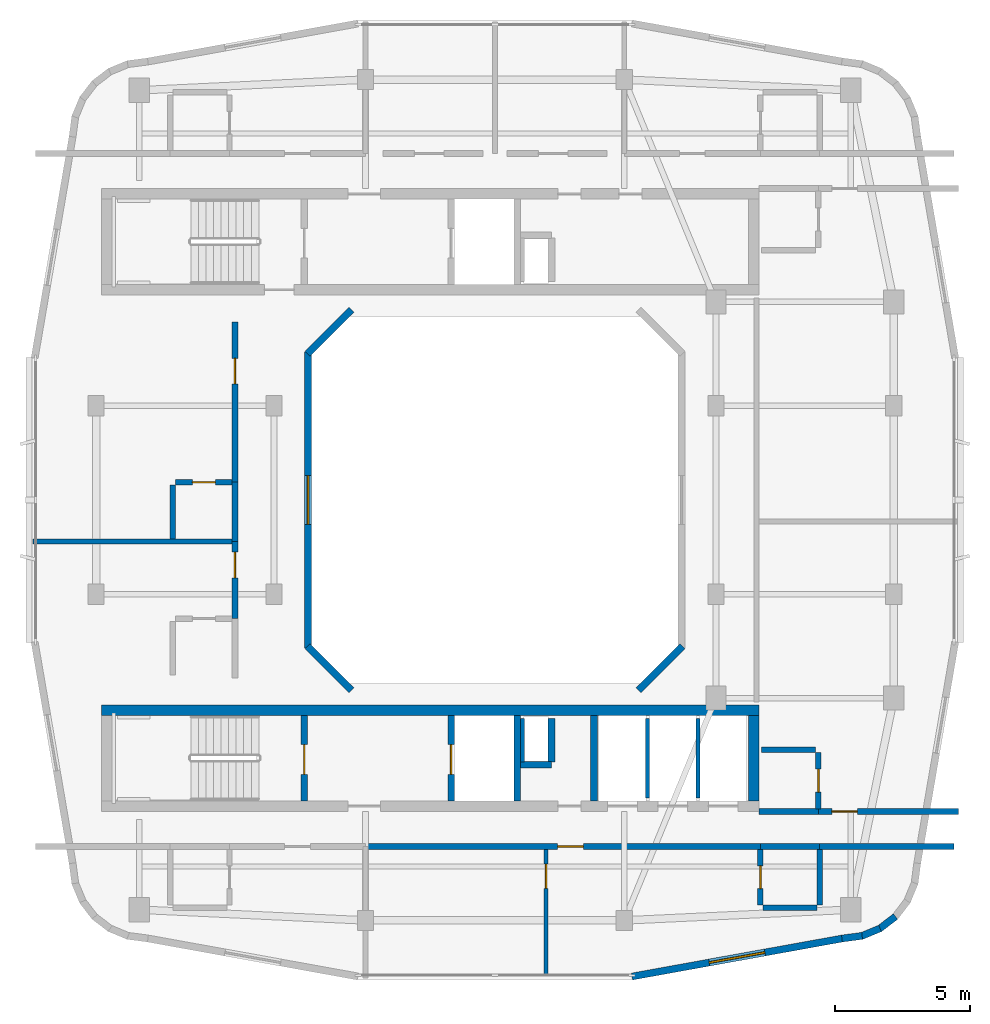
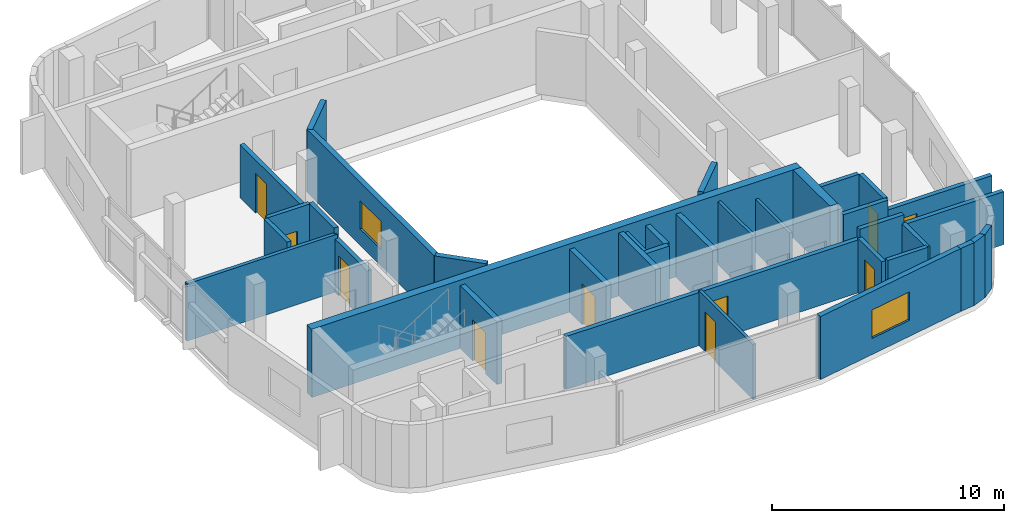
# One storey, part 4 of 8: 36 walls, 10 doors, 2 windows, 12 openings.
"""IFC4 building model written with IfcOpenShell, lengths in metres."""

from ifc_helpers import new_model, si_unit, derived_unit, direction, frame, frame_2d, origin, place, context, subcontext, project, spatial, rectangle, extrude, material, layer, layer_set, type_object, element, fill, save


model = new_model("IFC4")

# Units and contexts
model_context = context("Model", 3, precision=1e-05, world=origin(), true_north=direction((0.0, 1.0)))
body_context = subcontext(model_context, "Body", "Model", "MODEL_VIEW")
ifc_project = project(units=[si_unit("LENGTHUNIT", "METRE"), si_unit("AREAUNIT", "SQUARE_METRE"), si_unit("VOLUMEUNIT", "CUBIC_METRE"), si_unit("PLANEANGLEUNIT", "RADIAN"), si_unit("MASSUNIT", "GRAM", prefix="KILO"), derived_unit("THERMALTRANSMITTANCEUNIT", [(si_unit("POWERUNIT", "WATT"), 1), (si_unit("LENGTHUNIT", "METRE"), -2), (si_unit("THERMODYNAMICTEMPERATUREUNIT", "KELVIN"), -1)])], contexts=[model_context])

# Site, building, storey
site_placement = place(None, origin())
site = spatial("IfcSite", under=ifc_project, at=site_placement, CompositionType="ELEMENT")
building_placement = place(site_placement, origin())
building = spatial("IfcBuilding", under=site, at=building_placement, Name="Kivonza Crest Hotel", CompositionType="ELEMENT")
storey_placement = place(building_placement, frame((0.0, 0.0, 257.60009765625)))
storey = spatial("IfcBuildingStorey", under=building, at=storey_placement, Name="L70", CompositionType="ELEMENT", Elevation=257.60009765625)

# Walls
ifc_material_1 = material(Name="High-density acoustic masonry inter-tenancy wall", Category="masonry")
ifc_layer_1 = layer(ifc_material_1, 0.179931640625)
ifc_layer_set_1 = layer_set([ifc_layer_1], Name="High-density acoustic masonry inter-tenancy wall")
wall_type_1 = type_object("IfcWallType", Name="WL-ACOU-180", PredefinedType="SOLIDWALL", material=ifc_layer_set_1)
wall_1_placement = place(storey_placement, frame((3.860107421875, 23.4599609375, 0.0), z_axis=(0.0, 0.0, 1.0), x_axis=(1.0, 0.0, 0.0)))
element("IfcWall", 1, at=wall_1_placement, inside=storey, type_object=wall_type_1, Name="L70 interior partition WA-L70-T1W-DIV1", PredefinedType="SOLIDWALL", context=body_context, shape_type="SweptSolid", body=[
    extrude(rectangle(XDim=7.489990234375, YDim=0.179931640625, at=frame_2d((3.7451171875, 0.0))), origin(), (0.0, 0.0, 1.0), 3.014892578125),
])
ifc_material_2 = material(Name="Autoclaved aerated concrete blockwork", Category="masonry")
ifc_layer_2 = layer(ifc_material_2, 0.219970703125)
ifc_layer_set_2 = layer_set([ifc_layer_2], Name="Autoclaved aerated concrete blockwork")
wall_type_2 = type_object("IfcWallType", Name="WL-ACOU-220", PredefinedType="SOLIDWALL", material=ifc_layer_set_2)
wall_2_placement = place(storey_placement, frame((33.050048828125, 12.139892578125, 0.0), z_axis=(0.0, 0.0, 1.0), x_axis=(1.0, 0.0, 0.0)))
element("IfcWall", 2, at=wall_2_placement, inside=storey, type_object=wall_type_2, Name="L70 interior partition WA-L70-S04-XCORR", PredefinedType="SOLIDWALL", context=body_context, shape_type="SweptSolid", body=[
    extrude(rectangle(XDim=4.989990234375, YDim=0.219970703125, at=frame_2d((2.4951171875, 0.0))), origin(), (0.0, 0.0, 1.0), 2.794921875),
])
wall_3_placement = place(storey_placement, frame((30.85009765625, 12.139892578125, 0.0), z_axis=(0.0, 0.0, 1.0), x_axis=(1.0, 0.0, 0.0)))
element("IfcWall", 3, at=wall_3_placement, inside=storey, type_object=wall_type_2, Name="L70 interior partition WA-L70-S04-BCORR", PredefinedType="SOLIDWALL", context=body_context, shape_type="SweptSolid", body=[
    extrude(rectangle(XDim=2.199951171875, YDim=0.219970703125, at=frame_2d((1.10009765625, 0.0))), origin(), (0.0, 0.0, 1.0), 3.31982421875),
])

# Wall, opening, door
wall_4_placement = place(storey_placement, frame((16.199951171875, 12.139892578125, 0.0), z_axis=(0.0, 0.0, 1.0), x_axis=(1.0, 0.0, 0.0)))
wall_4 = element("IfcWall", 4, at=wall_4_placement, inside=storey, type_object=wall_type_2, Name="L70 interior partition WA-L70-S04-MCORR", PredefinedType="SOLIDWALL", context=body_context, shape_type="SweptSolid", body=[
    extrude(rectangle(XDim=14.650146484375, YDim=0.219970703125, at=frame_2d((7.3251953125, 0.0))), origin(), (0.0, 0.0, 1.0), 2.794921875),
])
opening_1_placement = place(wall_4_placement, frame((7.1298828125, 0.0, 0.0)))
opening_1 = element("IfcOpeningElement", 5, at=opening_1_placement, cuts=wall_4, Name="Opening DU-60", PredefinedType="OPENING", context=body_context, shape_type="SweptSolid", body=[
    extrude(rectangle(XDim=0.949951171875, YDim=2.10009765625, at=frame_2d((0.47509765625, 1.050048828125))), frame((0.0, 0.1201171875, 0.0), z_axis=(0.0, -1.0, 0.0), x_axis=(1.0, 0.0, 0.0)), (0.0, 0.0, 1.0), 0.239990234375),
])
ifc_material_3 = material(Name="Hardwood timber oak", Category="wood")
door_type_1 = type_object("IfcDoorType", Name="DR-UNIT-950", OperationType="NOTDEFINED", PredefinedType="DOOR", material=ifc_material_3)
door_1_placement = place(opening_1_placement, frame((0.949951171875, 0.0, 0.0), z_axis=(0.0, 0.0, 1.0), x_axis=(-1.0, 0.0, 0.0)))
door_1 = element("IfcDoor", 6, at=door_1_placement, inside=storey, type_object=door_type_1, Name="L70 S04 guest unit entrance fire door", OperationType="SINGLE_SWING_RIGHT", OverallHeight=2.10009765625, OverallWidth=0.949951171875, PredefinedType="DOOR", context=body_context, shape_type="SweptSolid", body=[
    extrude(rectangle(XDim=0.949951171875, YDim=2.10009765625, at=frame_2d((0.47509765625, 1.050048828125))), frame((0.0, 0.02490234375, 0.0), z_axis=(0.0, -1.0, 0.0), x_axis=(1.0, 0.0, 0.0)), (0.0, 0.0, 1.0), 0.050048828125),
])
fill(opening_1, door_1)

wall_5_placement = place(storey_placement, frame((11.35009765625, 20.60009765625, 0.0), z_axis=(0.0, 0.0, 1.0), x_axis=(0.0, 1.0, 0.0)))
wall_5 = element("IfcWall", 7, at=wall_5_placement, inside=storey, type_object=wall_type_2, Name="L70 interior partition WA-L70-W05-MCORR", PredefinedType="SOLIDWALL", context=body_context, shape_type="SweptSolid", body=[
    extrude(rectangle(XDim=2.85986328125, YDim=0.219970703125, at=frame_2d((1.429931640625, 0.0))), origin(), (0.0, 0.0, 1.0), 2.794921875),
])
opening_2_placement = place(wall_5_placement, frame((1.514892578125, 0.0, 0.0)))
opening_2 = element("IfcOpeningElement", 8, at=opening_2_placement, cuts=wall_5, Name="Opening DU-60", PredefinedType="OPENING", context=body_context, shape_type="SweptSolid", body=[
    extrude(rectangle(XDim=0.949951171875, YDim=2.10009765625, at=frame_2d((0.47509765625, 1.050048828125))), frame((0.0, 0.1201171875, 0.0), z_axis=(0.0, -1.0, 0.0), x_axis=(1.0, 0.0, 0.0)), (0.0, 0.0, 1.0), 0.239990234375),
])
door_2_placement = place(opening_2_placement, origin())
door_2 = element("IfcDoor", 9, at=door_2_placement, inside=storey, type_object=door_type_1, Name="L70 W05 guest unit entrance fire door", OperationType="SINGLE_SWING_LEFT", OverallHeight=2.10009765625, OverallWidth=0.949951171875, PredefinedType="DOOR", context=body_context, shape_type="SweptSolid", body=[
    extrude(rectangle(XDim=0.949951171875, YDim=2.10009765625, at=frame_2d((0.47509765625, 1.050048828125))), frame((0.0, 0.02490234375, 0.0), z_axis=(0.0, -1.0, 0.0), x_axis=(1.0, 0.0, 0.0)), (0.0, 0.0, 1.0), 0.050048828125),
])
fill(opening_2, door_2)

# Wall
wall_6_placement = place(storey_placement, frame((11.35009765625, 23.4599609375, 0.0), z_axis=(0.0, 0.0, 1.0), x_axis=(0.0, 1.0, 0.0)))
element("IfcWall", 10, at=wall_6_placement, inside=storey, type_object=wall_type_2, Name="L70 interior partition WA-L70-W06-BCORR", PredefinedType="SOLIDWALL", context=body_context, shape_type="SweptSolid", body=[
    extrude(rectangle(XDim=2.199951171875, YDim=0.219970703125, at=frame_2d((1.10009765625, 0.0))), origin(), (0.0, 0.0, 1.0), 3.31982421875),
])

# Wall, opening, door
wall_7_placement = place(storey_placement, frame((11.35009765625, 25.659912109375, 0.0), z_axis=(0.0, 0.0, 1.0), x_axis=(0.0, 1.0, 0.0)))
wall_7 = element("IfcWall", 11, at=wall_7_placement, inside=storey, type_object=wall_type_2, Name="L70 interior partition WA-L70-W06-MCORR", PredefinedType="SOLIDWALL", context=body_context, shape_type="SweptSolid", body=[
    extrude(rectangle(XDim=5.940185546875, YDim=0.219970703125, at=frame_2d((2.97021484375, 0.0))), origin(), (0.0, 0.0, 1.0), 2.794921875),
])
opening_3_placement = place(wall_7_placement, frame((3.64501953125, 0.0, 0.0)))
opening_3 = element("IfcOpeningElement", 12, at=opening_3_placement, cuts=wall_7, Name="Opening DU-60", PredefinedType="OPENING", context=body_context, shape_type="SweptSolid", body=[
    extrude(rectangle(XDim=0.949951171875, YDim=2.10009765625, at=frame_2d((0.47509765625, 1.050048828125))), frame((0.0, 0.1201171875, 0.0), z_axis=(0.0, -1.0, 0.0), x_axis=(1.0, 0.0, 0.0)), (0.0, 0.0, 1.0), 0.239990234375),
])
door_3_placement = place(opening_3_placement, origin())
door_3 = element("IfcDoor", 13, at=door_3_placement, inside=storey, type_object=door_type_1, Name="L70 W06 guest unit entrance fire door", OperationType="SINGLE_SWING_RIGHT", OverallHeight=2.10009765625, OverallWidth=0.949951171875, PredefinedType="DOOR", context=body_context, shape_type="SweptSolid", body=[
    extrude(rectangle(XDim=0.949951171875, YDim=2.10009765625, at=frame_2d((0.47509765625, 1.050048828125))), frame((0.0, 0.02490234375, 0.0), z_axis=(0.0, -1.0, 0.0), x_axis=(1.0, 0.0, 0.0)), (0.0, 0.0, 1.0), 0.050048828125),
])
fill(opening_3, door_3)

# Wall
wall_8_placement = place(storey_placement, frame((30.800048828125, 13.43994140625, 0.0), z_axis=(0.0, 0.0, 1.0), x_axis=(1.0, 0.0, 0.0)))
element("IfcWall", 14, at=wall_8_placement, inside=storey, type_object=wall_type_2, Name="L70 interior partition WA-L70-ES07-BCORR", PredefinedType="SOLIDWALL", context=body_context, shape_type="SweptSolid", body=[
    extrude(rectangle(XDim=2.199951171875, YDim=0.219970703125, at=frame_2d((1.10009765625, 0.0))), origin(), (0.0, 0.0, 1.0), 3.31982421875),
])

# Wall, opening, door
wall_9_placement = place(storey_placement, frame((33.0, 13.43994140625, 0.0), z_axis=(0.0, 0.0, 1.0), x_axis=(1.0, 0.0, 0.0)))
wall_9 = element("IfcWall", 15, at=wall_9_placement, inside=storey, type_object=wall_type_2, Name="L70 interior partition WA-L70-ES07-MCORR", PredefinedType="SOLIDWALL", context=body_context, shape_type="SweptSolid", body=[
    extrude(rectangle(XDim=5.199951171875, YDim=0.219970703125, at=frame_2d((2.60009765625, 0.0))), origin(), (0.0, 0.0, 1.0), 2.794921875),
])
opening_4_placement = place(wall_9_placement, frame((0.5, 0.0, 0.0)))
opening_4 = element("IfcOpeningElement", 16, at=opening_4_placement, cuts=wall_9, Name="Opening DU-60", PredefinedType="OPENING", context=body_context, shape_type="SweptSolid", body=[
    extrude(rectangle(XDim=0.949951171875, YDim=2.10009765625, at=frame_2d((0.47509765625, 1.050048828125))), frame((0.0, 0.1201171875, 0.0), z_axis=(0.0, -1.0, 0.0), x_axis=(1.0, 0.0, 0.0)), (0.0, 0.0, 1.0), 0.239990234375),
])
door_4_placement = place(opening_4_placement, origin())
door_4 = element("IfcDoor", 17, at=door_4_placement, inside=storey, type_object=door_type_1, Name="L70 ES07 guest unit entrance fire door", OperationType="SINGLE_SWING_RIGHT", OverallHeight=2.10009765625, OverallWidth=0.949951171875, PredefinedType="DOOR", context=body_context, shape_type="SweptSolid", body=[
    extrude(rectangle(XDim=0.949951171875, YDim=2.10009765625, at=frame_2d((0.47509765625, 1.050048828125))), frame((0.0, 0.02490234375, 0.0), z_axis=(0.0, -1.0, 0.0), x_axis=(1.0, 0.0, 0.0)), (0.0, 0.0, 1.0), 0.050048828125),
])
fill(opening_4, door_4)

# Walls
ifc_material_4 = material(Name="Concrete C50/60", Category="concrete")
ifc_layer_3 = layer(ifc_material_4, 0.39990234375)
ifc_layer_set_3 = layer_set([ifc_layer_3], Name="Concrete C50/60")
wall_type_3 = type_object("IfcWallType", Name="WL-CORE-400", PredefinedType="SHEAR", material=ifc_layer_set_3)
wall_10_placement = place(storey_placement, frame((6.39990234375, 17.199951171875, 0.0), z_axis=(0.0, 0.0, 1.0), x_axis=(1.0, 0.0, 0.0)))
element("IfcWall", 18, at=wall_10_placement, inside=storey, type_object=wall_type_3, Name="Core wall T1-S North L70", PredefinedType="SHEAR", context=body_context, shape_type="SweptSolid", body=[
    extrude(rectangle(XDim=24.400146484375, YDim=0.39990234375, at=frame_2d((12.2001953125, 0.0))), origin(), (0.0, 0.0, 1.0), 3.599853515625),
])
wall_11_placement = place(storey_placement, frame((30.60009765625, 13.840087890625, 0.0), z_axis=(0.0, 0.0, 1.0), x_axis=(0.0, 1.0, 0.0)))
element("IfcWall", 19, at=wall_11_placement, inside=storey, type_object=wall_type_3, Name="Core wall T1-S East L70", PredefinedType="SHEAR", context=body_context, shape_type="SweptSolid", body=[
    extrude(rectangle(XDim=3.159912109375, YDim=0.39990234375, at=frame_2d((1.580078125, 0.0))), origin(), (0.0, 0.0, 1.0), 3.599853515625),
])

# Wall, opening, window
ifc_material_5 = material(Name="Precast concrete C40/50", Category="concrete")
ifc_layer_4 = layer(ifc_material_5, 0.260009765625)
ifc_layer_set_4 = layer_set([ifc_layer_4], Name="Precast concrete C40/50")
wall_type_4 = type_object("IfcWallType", Name="WL-EXT-260", PredefinedType="STANDARD", material=ifc_layer_set_4)
wall_12_placement = place(storey_placement, frame((26.0830078125, 7.318115234375, 0.0), z_axis=(0.0, 0.0, 1.0), x_axis=(0.984039441158, 0.177950493803, 0.0)))
wall_12 = element("IfcWall", 20, at=wall_12_placement, inside=storey, type_object=wall_type_4, Name="L70 T1 exterior insulated wall 9", PredefinedType="STANDARD", context=body_context, shape_type="SweptSolid", body=[
    extrude(rectangle(XDim=7.928466796875, YDim=0.260009765625, at=frame_2d((3.96435546875, 0.0))), origin(), (0.0, 0.0, 1.0), 3.31982421875),
])
opening_5_placement = place(wall_12_placement, frame((2.9140625, 0.0, 0.85009765625)))
opening_5 = element("IfcOpeningElement", 21, at=opening_5_placement, cuts=wall_12, Name="Opening WN-04", PredefinedType="OPENING", context=body_context, shape_type="SweptSolid", body=[
    extrude(rectangle(XDim=2.10009765625, YDim=1.5, at=frame_2d((1.050048828125, 0.75))), frame((0.0, 0.14013671875, 0.0), z_axis=(0.0, -1.0, 0.0), x_axis=(1.0, 0.0, 0.0)), (0.0, 0.0, 1.0), 0.280029296875),
])
ifc_material_6 = material(Name="Thermally broken bronze aluminium and low-E double glazing", Category="aluminium")
window_type_1 = type_object("IfcWindowType", Name="WN-210x150", PartitioningType="DOUBLE_PANEL_VERTICAL", PredefinedType="WINDOW", material=ifc_material_6)
window_1_placement = place(opening_5_placement, origin())
window_1 = element("IfcWindow", 22, at=window_1_placement, inside=storey, type_object=window_type_1, Name="L70 T1 facade window 9", OverallHeight=1.5, OverallWidth=2.10009765625, PartitioningType="SINGLE_PANEL", PredefinedType="WINDOW", context=body_context, shape_type="SweptSolid", body=[
    extrude(rectangle(XDim=2.10009765625, YDim=1.5, at=frame_2d((1.050048828125, 0.75))), frame((0.0, 0.030029296875, 0.0), z_axis=(0.0, -1.0, 0.0), x_axis=(1.0, 0.0, 0.0)), (0.0, 0.0, 1.0), 0.06005859375),
])
fill(opening_5, window_1)

# Walls
wall_13_placement = place(storey_placement, frame((33.875, 8.72802734375, 0.0), z_axis=(0.0, 0.0, 1.0), x_axis=(0.99139921394, 0.130872451645, 0.0)))
element("IfcWall", 23, at=wall_13_placement, inside=storey, type_object=wall_type_4, Name="L70 T1 exterior insulated wall 10", PredefinedType="STANDARD", context=body_context, shape_type="SweptSolid", body=[
    extrude(rectangle(XDim=0.755615234375, YDim=0.260009765625, at=frame_2d((0.3779296875, 0.0))), origin(), (0.0, 0.0, 1.0), 3.31982421875),
])
for number, where, z_axis, x_axis, name in (
    (24, (34.577880859375, 8.80908203125, 0.0), (0.0, 0.0, 1.0), (0.923646580096, 0.383245345798, 0.0), "L70 T1 exterior insulated wall 11"),
    (25, (35.2509765625, 9.076904296875, 0.0), (0.0, 0.0, 1.0), (0.794232124259, 0.607614460654, 0.0), "L70 T1 exterior insulated wall 12"),
):
    element("IfcWall", number, at=place(storey_placement, frame(where, z_axis=z_axis, x_axis=x_axis)), inside=storey, type_object=wall_type_4, Name=name, PredefinedType="STANDARD", context=body_context, shape_type="SweptSolid", body=[
        extrude(rectangle(XDim=0.77197265625, YDim=0.260009765625, at=frame_2d((0.385986328125, 0.0))), origin(), (0.0, 0.0, 1.0), 3.31982421875),
    ])
for number, where, z_axis, x_axis, name in (
    (26, (26.322021484375, 17.93798828125, 0.0), (0.0, 0.0, 1.0), (0.707106781187, 0.707106781187, 0.0), "L70 T1 light-well exterior wall 2"),
    (27, (15.677978515625, 32.06201171875, 0.0), (0.0, 0.0, 1.0), (-0.707106781187, -0.707106781187, 0.0), "L70 T1 light-well exterior wall 6"),
):
    element("IfcWall", number, at=place(storey_placement, frame(where, z_axis=z_axis, x_axis=x_axis)), inside=storey, type_object=wall_type_4, Name=name, PredefinedType="STANDARD", context=body_context, shape_type="SweptSolid", body=[
        extrude(rectangle(XDim=2.310791015625, YDim=0.260009765625, at=frame_2d((1.1552734375, 0.0))), origin(), (0.0, 0.0, 1.0), 3.31982421875),
    ])

# Wall, opening, window
wall_14_placement = place(storey_placement, frame((14.070068359375, 30.489990234375, 0.0), z_axis=(0.0, 0.0, 1.0), x_axis=(0.0, -1.0, 0.0)))
wall_14 = element("IfcWall", 28, at=wall_14_placement, inside=storey, type_object=wall_type_4, Name="L70 T1 light-well exterior wall 7", PredefinedType="STANDARD", context=body_context, shape_type="SweptSolid", body=[
    extrude(rectangle(XDim=10.97998046875, YDim=0.260009765625, at=frame_2d((5.489990234375, 0.0))), origin(), (0.0, 0.0, 1.0), 3.31982421875),
])
opening_6_placement = place(wall_14_placement, frame((4.590087890625, 0.0, 0.85009765625)))
opening_6 = element("IfcOpeningElement", 29, at=opening_6_placement, cuts=wall_14, Name="Opening WN-03", PredefinedType="OPENING", context=body_context, shape_type="SweptSolid", body=[
    extrude(rectangle(XDim=1.800048828125, YDim=1.5, at=frame_2d((0.89990234375, 0.75))), frame((0.0, 0.14013671875, 0.0), z_axis=(0.0, -1.0, 0.0), x_axis=(1.0, 0.0, 0.0)), (0.0, 0.0, 1.0), 0.280029296875),
])
window_type_2 = type_object("IfcWindowType", Name="WN-180x150", PartitioningType="DOUBLE_PANEL_VERTICAL", PredefinedType="WINDOW", material=ifc_material_6)
window_2_placement = place(opening_6_placement, origin())
window_2 = element("IfcWindow", 30, at=window_2_placement, inside=storey, type_object=window_type_2, Name="L70 T1 light-well window 7", OverallHeight=1.5, OverallWidth=1.800048828125, PartitioningType="SINGLE_PANEL", PredefinedType="WINDOW", context=body_context, shape_type="SweptSolid", body=[
    extrude(rectangle(XDim=1.800048828125, YDim=1.5, at=frame_2d((0.89990234375, 0.75))), frame((0.0, 0.030029296875, 0.0), z_axis=(0.0, -1.0, 0.0), x_axis=(1.0, 0.0, 0.0)), (0.0, 0.0, 1.0), 0.06005859375),
])
fill(opening_6, window_2)

# Walls
wall_15_placement = place(storey_placement, frame((14.0439453125, 19.572021484375, 0.0), z_axis=(0.0, 0.0, 1.0), x_axis=(0.707106781187, -0.707106781187, 0.0)))
element("IfcWall", 31, at=wall_15_placement, inside=storey, type_object=wall_type_4, Name="L70 T1 light-well exterior wall 8", PredefinedType="STANDARD", context=body_context, shape_type="SweptSolid", body=[
    extrude(rectangle(XDim=2.310791015625, YDim=0.260009765625, at=frame_2d((1.1552734375, 0.0))), origin(), (0.0, 0.0, 1.0), 3.31982421875),
])
ifc_material_7 = material(Name="Concrete blockwork fire-compartment wall", Category="masonry")
ifc_layer_5 = layer(ifc_material_7, 0.25)
ifc_layer_set_5 = layer_set([ifc_layer_5], Name="Concrete blockwork fire-compartment wall")
wall_type_5 = type_object("IfcWallType", Name="WL-FIRE-250", PredefinedType="SOLIDWALL", material=ifc_layer_set_5)
wall_16_placement = place(storey_placement, frame((23.10009765625, 15.280029296875, 0.0), z_axis=(0.0, 0.0, 1.0), x_axis=(0.0, 1.0, 0.0)))
element("IfcWall", 32, at=wall_16_placement, inside=storey, type_object=wall_type_5, Name="L70 interior partition WA-L70-T1-S-MEPR-E", PredefinedType="SOLIDWALL", context=body_context, shape_type="SweptSolid", body=[
    extrude(rectangle(XDim=1.619873046875, YDim=0.25, at=frame_2d((0.81005859375, 0.0))), origin(), (0.0, 0.0, 1.0), 3.31982421875),
])
wall_17_placement = place(storey_placement, frame((21.949951171875, 15.179931640625, 0.0), z_axis=(0.0, 0.0, 1.0), x_axis=(1.0, 0.0, 0.0)))
element("IfcWall", 33, at=wall_17_placement, inside=storey, type_object=wall_type_5, Name="L70 interior partition WA-L70-T1-S-MEPR-H", PredefinedType="SOLIDWALL", context=body_context, shape_type="SweptSolid", body=[
    extrude(rectangle(XDim=1.150146484375, YDim=0.25, at=frame_2d((0.5751953125, 0.0))), origin(), (0.0, 0.0, 1.0), 3.31982421875),
])
ifc_material_8 = material(Name="Twin-stud acoustic gypsum board partition", Category="gypsum")
ifc_layer_6 = layer(ifc_material_8, 0.14990234375)
ifc_layer_set_6 = layer_set([ifc_layer_6], Name="Twin-stud acoustic gypsum board partition")
wall_type_6 = type_object("IfcWallType", Name="WL-PART-150", PredefinedType="PARTITIONING", material=ifc_layer_set_6)
wall_18_placement = place(storey_placement, frame((22.030029296875, 15.280029296875, 0.0), z_axis=(0.0, 0.0, 1.0), x_axis=(0.0, 1.0, 0.0)))
element("IfcWall", 34, at=wall_18_placement, inside=storey, type_object=wall_type_6, Name="L70 interior partition WA-L70-T1-S-MEPR-W", PredefinedType="PARTITIONING", context=body_context, shape_type="SweptSolid", body=[
    extrude(rectangle(XDim=1.619873046875, YDim=0.14990234375, at=frame_2d((0.81005859375, 0.0))), origin(), (0.0, 0.0, 1.0), 3.31982421875),
])
wall_19_placement = place(storey_placement, frame((26.6669921875, 13.93994140625, 0.0), z_axis=(0.0, 0.0, 1.0), x_axis=(0.0, 1.0, 0.0)))
element("IfcWall", 35, at=wall_19_placement, inside=storey, type_object=wall_type_6, Name="L70 interior partition WP-L70-T1-S-BSH-1", PredefinedType="PARTITIONING", context=body_context, shape_type="SweptSolid", body=[
    extrude(rectangle(XDim=2.9599609375, YDim=0.14990234375, at=frame_2d((1.47998046875, 0.0))), origin(), (0.0, 0.0, 1.0), 3.31982421875),
])
wall_20_placement = place(storey_placement, frame((28.532958984375, 13.93994140625, 0.0), z_axis=(0.0, 0.0, 1.0), x_axis=(0.0, 1.0, 0.0)))
element("IfcWall", 36, at=wall_20_placement, inside=storey, type_object=wall_type_6, Name="L70 interior partition WP-L70-T1-S-BSH-2", PredefinedType="PARTITIONING", context=body_context, shape_type="SweptSolid", body=[
    extrude(rectangle(XDim=2.9599609375, YDim=0.14990234375, at=frame_2d((1.47998046875, 0.0))), origin(), (0.0, 0.0, 1.0), 2.794921875),
])

# Wall, opening, door
wall_21_placement = place(storey_placement, frame((22.89990234375, 7.360107421875, 0.0), z_axis=(0.0, 0.0, 1.0), x_axis=(0.0, 1.0, 0.0)))
wall_21 = element("IfcWall", 37, at=wall_21_placement, inside=storey, type_object=wall_type_6, Name="L70 interior partition WP-L70-S04-SPSP", PredefinedType="PARTITIONING", context=body_context, shape_type="SweptSolid", body=[
    extrude(rectangle(XDim=4.679931640625, YDim=0.14990234375, at=frame_2d((2.33984375, 0.0))), origin(), (0.0, 0.0, 1.0), 2.89501953125),
])
opening_7_placement = place(wall_21_placement, frame((3.22998046875, 0.0, 0.0)))
opening_7 = element("IfcOpeningElement", 38, at=opening_7_placement, cuts=wall_21, Name="Opening DI-90", PredefinedType="OPENING", context=body_context, shape_type="SweptSolid", body=[
    extrude(rectangle(XDim=0.89990234375, YDim=2.10009765625, at=frame_2d((0.449951171875, 1.050048828125))), frame((0.0, 0.0849609375, 0.0), z_axis=(0.0, -1.0, 0.0), x_axis=(1.0, 0.0, 0.0)), (0.0, 0.0, 1.0), 0.169921875),
])
door_type_2 = type_object("IfcDoorType", Name="DR-INT-900", OperationType="NOTDEFINED", PredefinedType="DOOR", material=ifc_material_3)
door_5_placement = place(opening_7_placement, origin())
door_5 = element("IfcDoor", 39, at=door_5_placement, inside=storey, type_object=door_type_2, Name="L70 S04 suite bedroom door", OperationType="SINGLE_SWING_LEFT", OverallHeight=2.10009765625, OverallWidth=0.89990234375, PredefinedType="DOOR", context=body_context, shape_type="SweptSolid", body=[
    extrude(rectangle(XDim=0.89990234375, YDim=2.10009765625, at=frame_2d((0.449951171875, 1.050048828125))), frame((0.0, 0.02490234375, 0.0), z_axis=(0.0, -1.0, 0.0), x_axis=(1.0, 0.0, 0.0)), (0.0, 0.0, 1.0), 0.050048828125),
])
fill(opening_7, door_5)

ifc_material_9 = material(Name="Moisture-resistant plumbing chase partition wall", Category="gypsum")
ifc_layer_7 = layer(ifc_material_9, 0.199951171875)
ifc_layer_set_7 = layer_set([ifc_layer_7], Name="Moisture-resistant plumbing chase partition wall")
wall_type_7 = type_object("IfcWallType", Name="WL-PLUMB-200", PredefinedType="PLUMBINGWALL", material=ifc_layer_set_7)
wall_22_placement = place(storey_placement, frame((30.85009765625, 9.968017578125, 0.0), z_axis=(0.0, 0.0, 1.0), x_axis=(0.0, 1.0, 0.0)))
wall_22 = element("IfcWall", 40, at=wall_22_placement, inside=storey, type_object=wall_type_7, Name="L70 interior partition WW-L70-S04-BV", PredefinedType="PLUMBINGWALL", context=body_context, shape_type="SweptSolid", body=[
    extrude(rectangle(XDim=2.072021484375, YDim=0.199951171875, at=frame_2d((1.0361328125, 0.0))), origin(), (0.0, 0.0, 1.0), 2.89501953125),
])
opening_8_placement = place(wall_22_placement, frame((0.611083984375, 0.0, 0.0)))
opening_8 = element("IfcOpeningElement", 41, at=opening_8_placement, cuts=wall_22, Name="Opening DI-85", PredefinedType="OPENING", context=body_context, shape_type="SweptSolid", body=[
    extrude(rectangle(XDim=0.85009765625, YDim=2.10009765625, at=frame_2d((0.425048828125, 1.050048828125))), frame((0.0, 0.10986328125, 0.0), z_axis=(0.0, -1.0, 0.0), x_axis=(1.0, 0.0, 0.0)), (0.0, 0.0, 1.0), 0.219970703125),
])
door_type_3 = type_object("IfcDoorType", Name="DR-INT-850", OperationType="NOTDEFINED", PredefinedType="DOOR", material=ifc_material_3)
door_6_placement = place(opening_8_placement, origin())
door_6 = element("IfcDoor", 42, at=door_6_placement, inside=storey, type_object=door_type_3, Name="L70 S04 en-suite bathroom door", OperationType="SINGLE_SWING_LEFT", OverallHeight=2.10009765625, OverallWidth=0.85009765625, PredefinedType="DOOR", context=body_context, shape_type="SweptSolid", body=[
    extrude(rectangle(XDim=0.85009765625, YDim=2.10009765625, at=frame_2d((0.425048828125, 1.050048828125))), frame((0.0, 0.02490234375, 0.0), z_axis=(0.0, -1.0, 0.0), x_axis=(1.0, 0.0, 0.0)), (0.0, 0.0, 1.0), 0.050048828125),
])
fill(opening_8, door_6)

# Walls
wall_23_placement = place(storey_placement, frame((30.949951171875, 9.867919921875, 0.0), z_axis=(0.0, 0.0, 1.0), x_axis=(1.0, 0.0, 0.0)))
element("IfcWall", 43, at=wall_23_placement, inside=storey, type_object=wall_type_7, Name="L70 interior partition WW-L70-S04-BH", PredefinedType="PLUMBINGWALL", context=body_context, shape_type="SweptSolid", body=[
    extrude(rectangle(XDim=2.0, YDim=0.199951171875, at=frame_2d((1.0, 0.0))), origin(), (0.0, 0.0, 1.0), 3.014892578125),
])
wall_24_placement = place(storey_placement, frame((33.050048828125, 9.968017578125, 0.0), z_axis=(0.0, 0.0, 1.0), x_axis=(0.0, 1.0, 0.0)))
element("IfcWall", 44, at=wall_24_placement, inside=storey, type_object=wall_type_7, Name="L70 interior partition WW-L70-S04-BVE", PredefinedType="PLUMBINGWALL", context=body_context, shape_type="SweptSolid", body=[
    extrude(rectangle(XDim=2.072021484375, YDim=0.199951171875, at=frame_2d((1.0361328125, 0.0))), origin(), (0.0, 0.0, 1.0), 2.89501953125),
])

# Wall, opening, door
wall_25_placement = place(storey_placement, frame((9.14990234375, 25.659912109375, 0.0), z_axis=(0.0, 0.0, 1.0), x_axis=(1.0, 0.0, 0.0)))
wall_25 = element("IfcWall", 45, at=wall_25_placement, inside=storey, type_object=wall_type_7, Name="L70 interior partition WW-L70-W06-BH", PredefinedType="PLUMBINGWALL", context=body_context, shape_type="SweptSolid", body=[
    extrude(rectangle(XDim=2.10009765625, YDim=0.199951171875, at=frame_2d((1.050048828125, 0.0))), origin(), (0.0, 0.0, 1.0), 3.31982421875),
])
opening_9_placement = place(wall_25_placement, frame((0.625, 0.0, 0.0)))
opening_9 = element("IfcOpeningElement", 46, at=opening_9_placement, cuts=wall_25, Name="Opening DI-85", PredefinedType="OPENING", context=body_context, shape_type="SweptSolid", body=[
    extrude(rectangle(XDim=0.85009765625, YDim=2.10009765625, at=frame_2d((0.425048828125, 1.050048828125))), frame((0.0, 0.10986328125, 0.0), z_axis=(0.0, -1.0, 0.0), x_axis=(1.0, 0.0, 0.0)), (0.0, 0.0, 1.0), 0.219970703125),
])
door_7_placement = place(opening_9_placement, origin())
door_7 = element("IfcDoor", 47, at=door_7_placement, inside=storey, type_object=door_type_3, Name="L70 W06 en-suite bathroom door", OperationType="SINGLE_SWING_LEFT", OverallHeight=2.10009765625, OverallWidth=0.85009765625, PredefinedType="DOOR", context=body_context, shape_type="SweptSolid", body=[
    extrude(rectangle(XDim=0.85009765625, YDim=2.10009765625, at=frame_2d((0.425048828125, 1.050048828125))), frame((0.0, 0.02490234375, 0.0), z_axis=(0.0, -1.0, 0.0), x_axis=(1.0, 0.0, 0.0)), (0.0, 0.0, 1.0), 0.050048828125),
])
fill(opening_9, door_7)

# Wall
wall_26_placement = place(storey_placement, frame((9.050048828125, 23.56005859375, 0.0), z_axis=(0.0, 0.0, 1.0), x_axis=(0.0, 1.0, 0.0)))
element("IfcWall", 48, at=wall_26_placement, inside=storey, type_object=wall_type_7, Name="L70 interior partition WW-L70-W06-BV", PredefinedType="PLUMBINGWALL", context=body_context, shape_type="SweptSolid", body=[
    extrude(rectangle(XDim=2.0, YDim=0.199951171875, at=frame_2d((1.0, 0.0))), origin(), (0.0, 0.0, 1.0), 3.31982421875),
])

# Wall, opening, door
wall_27_placement = place(storey_placement, frame((33.0, 13.5400390625, 0.0), z_axis=(0.0, 0.0, 1.0), x_axis=(0.0, 1.0, 0.0)))
wall_27 = element("IfcWall", 49, at=wall_27_placement, inside=storey, type_object=wall_type_7, Name="L70 interior partition WW-L70-ES07-BV", PredefinedType="PLUMBINGWALL", context=body_context, shape_type="SweptSolid", body=[
    extrude(rectangle(XDim=2.099853515625, YDim=0.199951171875, at=frame_2d((1.0498046875, 0.0))), origin(), (0.0, 0.0, 1.0), 3.31982421875),
])
opening_10_placement = place(wall_27_placement, frame((0.625, 0.0, 0.0)))
opening_10 = element("IfcOpeningElement", 50, at=opening_10_placement, cuts=wall_27, Name="Opening DI-85", PredefinedType="OPENING", context=body_context, shape_type="SweptSolid", body=[
    extrude(rectangle(XDim=0.85009765625, YDim=2.10009765625, at=frame_2d((0.425048828125, 1.050048828125))), frame((0.0, 0.10986328125, 0.0), z_axis=(0.0, -1.0, 0.0), x_axis=(1.0, 0.0, 0.0)), (0.0, 0.0, 1.0), 0.219970703125),
])
door_8_placement = place(opening_10_placement, frame((0.85009765625, 0.0, 0.0), z_axis=(0.0, 0.0, 1.0), x_axis=(-1.0, 0.0, 0.0)))
door_8 = element("IfcDoor", 51, at=door_8_placement, inside=storey, type_object=door_type_3, Name="L70 ES07 en-suite bathroom door", OperationType="SINGLE_SWING_LEFT", OverallHeight=2.10009765625, OverallWidth=0.85009765625, PredefinedType="DOOR", context=body_context, shape_type="SweptSolid", body=[
    extrude(rectangle(XDim=0.85009765625, YDim=2.10009765625, at=frame_2d((0.425048828125, 1.050048828125))), frame((0.0, 0.02490234375, 0.0), z_axis=(0.0, -1.0, 0.0), x_axis=(1.0, 0.0, 0.0)), (0.0, 0.0, 1.0), 0.050048828125),
])
fill(opening_10, door_8)

# Wall
wall_28_placement = place(storey_placement, frame((30.89990234375, 15.739990234375, 0.0), z_axis=(0.0, 0.0, 1.0), x_axis=(1.0, 0.0, 0.0)))
element("IfcWall", 52, at=wall_28_placement, inside=storey, type_object=wall_type_7, Name="L70 interior partition WW-L70-ES07-BH", PredefinedType="PLUMBINGWALL", context=body_context, shape_type="SweptSolid", body=[
    extrude(rectangle(XDim=2.0, YDim=0.199951171875, at=frame_2d((1.0, 0.0))), origin(), (0.0, 0.0, 1.0), 3.31982421875),
])

# Wall, opening, door
ifc_layer_8 = layer(ifc_material_4, 0.25)
ifc_layer_set_8 = layer_set([ifc_layer_8], Name="Concrete C50/60")
wall_type_8 = type_object("IfcWallType", Name="WL-SHAFT-250", PredefinedType="STANDARD", material=ifc_layer_set_8)
wall_29_placement = place(storey_placement, frame((13.925048828125, 13.840087890625, 0.0), z_axis=(0.0, 0.0, 1.0), x_axis=(0.0, 1.0, 0.0)))
wall_29 = element("IfcWall", 53, at=wall_29_placement, inside=storey, type_object=wall_type_8, Name="Core shaft wall T1-S STAIR L70", PredefinedType="STANDARD", context=body_context, shape_type="SweptSolid", body=[
    extrude(rectangle(XDim=3.159912109375, YDim=0.25, at=frame_2d((1.580078125, 0.0))), origin(), (0.0, 0.0, 1.0), 3.31982421875),
])
opening_11_placement = place(wall_29_placement, frame((0.97998046875, 0.0, 0.0)))
opening_11 = element("IfcOpeningElement", 54, at=opening_11_placement, cuts=wall_29, Name="Opening DF-120", PredefinedType="OPENING", context=body_context, shape_type="SweptSolid", body=[
    extrude(rectangle(XDim=1.10009765625, YDim=2.14990234375, at=frame_2d((0.550048828125, 1.074951171875))), frame((0.0, 0.135009765625, 0.0), z_axis=(0.0, -1.0, 0.0), x_axis=(1.0, 0.0, 0.0)), (0.0, 0.0, 1.0), 0.27001953125),
])
ifc_material_10 = material(Name="Galvanised steel", Category="steel")
door_type_4 = type_object("IfcDoorType", Name="DR-FD120-1100", OperationType="NOTDEFINED", PredefinedType="DOOR", material=ifc_material_10)
door_9_placement = place(opening_11_placement, frame((1.10009765625, 0.0, 0.0), z_axis=(0.0, 0.0, 1.0), x_axis=(-1.0, 0.0, 0.0)))
door_9 = element("IfcDoor", 55, at=door_9_placement, inside=storey, type_object=door_type_4, Name="L70 T1-S stair fire door", OperationType="SINGLE_SWING_RIGHT", OverallHeight=2.14990234375, OverallWidth=1.10009765625, PredefinedType="DOOR", context=body_context, shape_type="SweptSolid", body=[
    extrude(rectangle(XDim=1.10009765625, YDim=2.14990234375, at=frame_2d((0.550048828125, 1.074951171875))), frame((0.0, 0.02490234375, 0.0), z_axis=(0.0, -1.0, 0.0), x_axis=(1.0, 0.0, 0.0)), (0.0, 0.0, 1.0), 0.050048828125),
])
fill(opening_11, door_9)

wall_30_placement = place(storey_placement, frame((19.375, 13.840087890625, 0.0), z_axis=(0.0, 0.0, 1.0), x_axis=(0.0, 1.0, 0.0)))
wall_30 = element("IfcWall", 56, at=wall_30_placement, inside=storey, type_object=wall_type_8, Name="Core shaft wall T1-S FFL-W L70", PredefinedType="STANDARD", context=body_context, shape_type="SweptSolid", body=[
    extrude(rectangle(XDim=3.159912109375, YDim=0.25, at=frame_2d((1.580078125, 0.0))), origin(), (0.0, 0.0, 1.0), 3.31982421875),
])
opening_12_placement = place(wall_30_placement, frame((0.97998046875, 0.0, 0.0)))
opening_12 = element("IfcOpeningElement", 57, at=opening_12_placement, cuts=wall_30, Name="Opening LD-120", PredefinedType="OPENING", context=body_context, shape_type="SweptSolid", body=[
    extrude(rectangle(XDim=1.10009765625, YDim=2.14990234375, at=frame_2d((0.550048828125, 1.074951171875))), frame((0.0, 0.135009765625, 0.0), z_axis=(0.0, -1.0, 0.0), x_axis=(1.0, 0.0, 0.0)), (0.0, 0.0, 1.0), 0.27001953125),
])
ifc_material_11 = material(Name="Stainless steel", Category="steel")
door_type_5 = type_object("IfcDoorType", Name="DR-LD120-1100", OperationType="NOTDEFINED", PredefinedType="DOOR", material=ifc_material_11)
door_10_placement = place(opening_12_placement, origin())
door_10 = element("IfcDoor", 58, at=door_10_placement, inside=storey, type_object=door_type_5, Name="L70 FFL-T1-S firefighting lift sliding landing door", OperationType="DOUBLE_DOOR_SLIDING", OverallHeight=2.14990234375, OverallWidth=1.10009765625, PredefinedType="DOOR", context=body_context, shape_type="SweptSolid", body=[
    extrude(rectangle(XDim=1.10009765625, YDim=2.14990234375, at=frame_2d((0.550048828125, 1.074951171875))), frame((0.0, 0.02490234375, 0.0), z_axis=(0.0, -1.0, 0.0), x_axis=(1.0, 0.0, 0.0)), (0.0, 0.0, 1.0), 0.050048828125),
])
fill(opening_12, door_10)

# Walls
for number, where, z_axis, x_axis, name in (
    (59, (21.824951171875, 13.840087890625, 0.0), (0.0, 0.0, 1.0), (0.0, 1.0, 0.0), "Core shaft wall T1-S FFL-E L70"),
    (60, (24.675048828125, 13.840087890625, 0.0), (0.0, 0.0, 1.0), (0.0, 1.0, 0.0), "Core shaft wall T1-S BANK-W L70"),
):
    element("IfcWall", number, at=place(storey_placement, frame(where, z_axis=z_axis, x_axis=x_axis)), inside=storey, type_object=wall_type_8, Name=name, PredefinedType="STANDARD", context=body_context, shape_type="SweptSolid", body=[
        extrude(rectangle(XDim=3.159912109375, YDim=0.25, at=frame_2d((1.580078125, 0.0))), origin(), (0.0, 0.0, 1.0), 3.31982421875),
    ])

save(model, "model.ifc")
